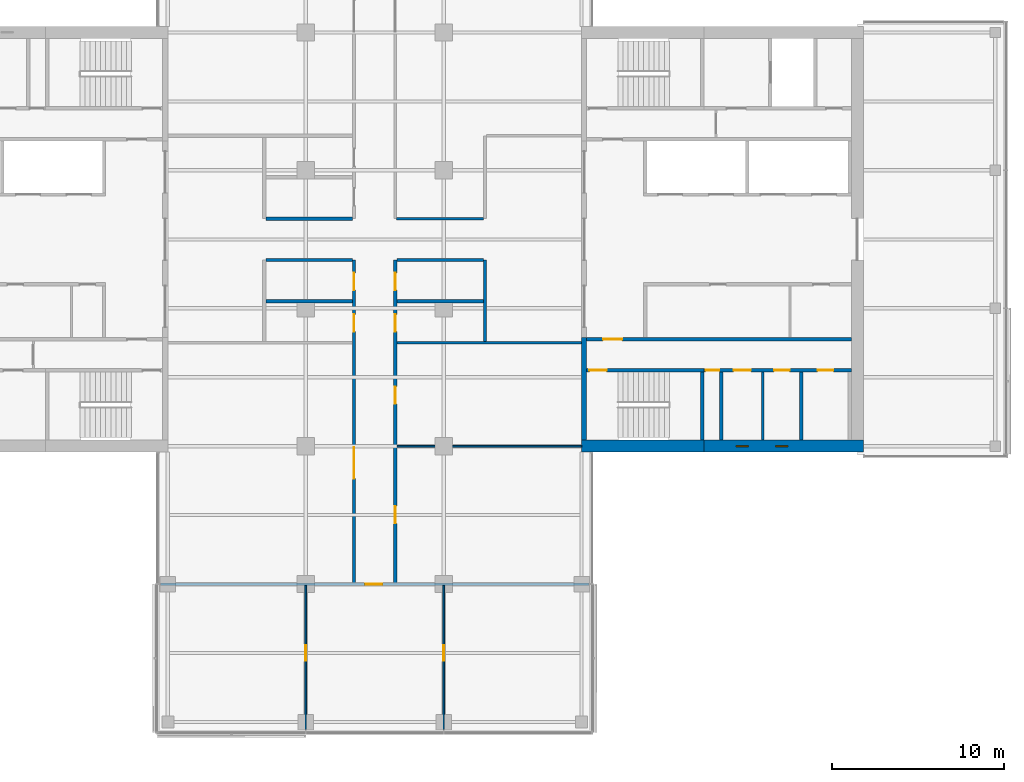
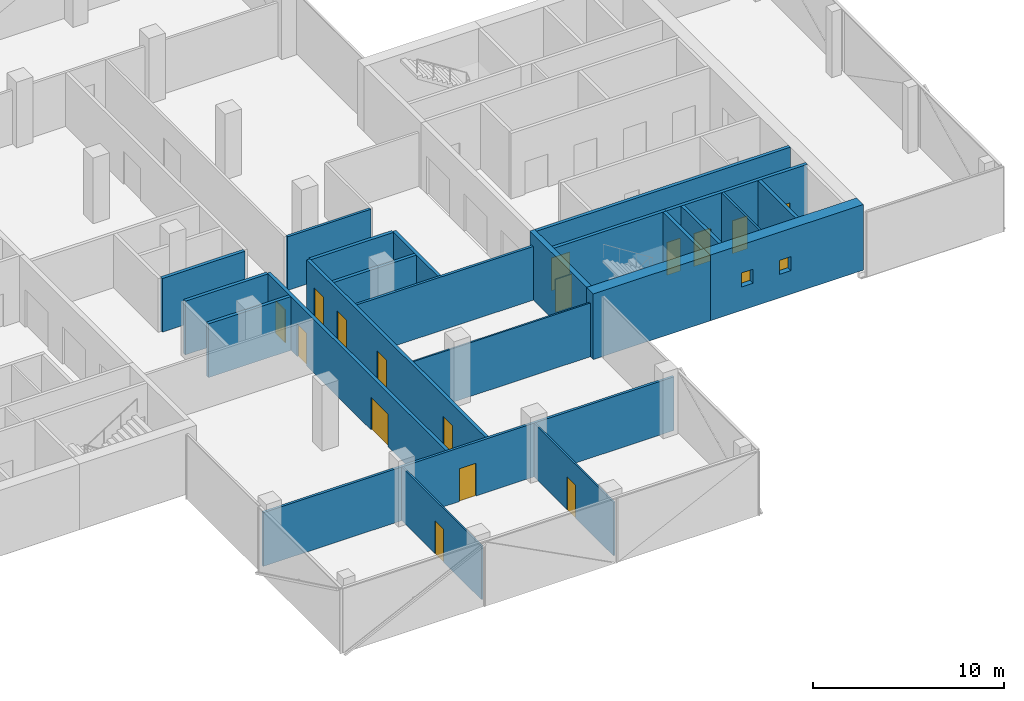
# One storey, part 14 of 22: 24 walls, 16 doors, 2 windows, 18 openings.
"""IFC4 building model written with IfcOpenShell, lengths in metres."""

from ifc_helpers import new_model, si_unit, direction, frame, frame_2d, origin, place, context, subcontext, project, spatial, rectangle, extrude, material, layer, layer_set, constituent, constituent_set, type_object, element, fill, save


model = new_model("IFC4")

# Units and contexts
model_context = context("Model", 3, precision=1e-05, world=origin(), true_north=direction((0.0, 1.0)))
body_context = subcontext(model_context, "Body", "Model", "MODEL_VIEW")
ifc_project = project(units=[si_unit("LENGTHUNIT", "METRE"), si_unit("AREAUNIT", "SQUARE_METRE"), si_unit("VOLUMEUNIT", "CUBIC_METRE"), si_unit("PLANEANGLEUNIT", "RADIAN"), si_unit("MASSUNIT", "GRAM", prefix="KILO")], contexts=[model_context])

# Site, building, storey
site_placement = place(None, origin())
site = spatial("IfcSite", under=ifc_project, at=site_placement, CompositionType="ELEMENT")
building_placement = place(site_placement, origin())
building = spatial("IfcBuilding", under=site, at=building_placement, Name="Crosswind Convention Tower", CompositionType="ELEMENT")
storey_placement = place(building_placement, frame((0.0, 0.0, 125.300048828125)))
storey = spatial("IfcBuildingStorey", under=building, at=storey_placement, Name="L25", CompositionType="ELEMENT", Elevation=125.300048828125)

# Wall
ifc_material_1 = material(Name="Concrete blockwork", Category="masonry")
ifc_layer_1 = layer(ifc_material_1, 0.199951171875)
ifc_layer_set_1 = layer_set([ifc_layer_1], Name="Blockwork partition wall 200")
wall_type_1 = type_object("IfcWallType", Name="Blockwork partition wall 200", PredefinedType="PARTITIONING", material=ifc_layer_set_1)
wall_1_placement = place(storey_placement, frame((145.10009765625, 88.35009765625, 0.0), z_axis=(0.0, 0.0, 1.0), x_axis=(0.0, 1.0, 0.0)))
element("IfcWall", 1, at=wall_1_placement, inside=storey, type_object=wall_type_1, Name="Wall MRSE E L25", PredefinedType="PARTITIONING", context=body_context, shape_type="SweptSolid", body=[
    extrude(rectangle(XDim=3.949951171875, YDim=0.199951171875, at=frame_2d((1.97509765625, 0.0))), origin(), (0.0, 0.0, 1.0), 4.199951171875),
])

# Wall, openings, doors
ifc_layer_2 = layer(ifc_material_1, 0.199951171875)
ifc_layer_set_2 = layer_set([ifc_layer_2], Name="COMPARTMENT WALL 200 BLOCKWORK")
wall_type_2 = type_object("IfcWallType", Name="COMPARTMENT WALL 200 BLOCKWORK", PredefinedType="SOLIDWALL", material=ifc_layer_set_2)
wall_2_placement = place(storey_placement, frame((123.800048828125, 80.074951171875, 0.0), z_axis=(0.0, 0.0, 1.0), x_axis=(0.0, 1.0, 0.0)))
wall_2 = element("IfcWall", 2, at=wall_2_placement, inside=storey, type_object=wall_type_2, Name="Compartment wall WT42", PredefinedType="SOLIDWALL", context=body_context, shape_type="SweptSolid", body=[
    extrude(rectangle(XDim=18.72509765625, YDim=0.199951171875, at=frame_2d((9.362548828125, 0.0))), origin(), (0.0, 0.0, 1.0), 3.436279296875),
])
opening_1_placement = place(wall_2_placement, frame((16.97509765625, 0.0, 0.0)))
opening_1 = element("IfcOpeningElement", 3, at=opening_1_placement, cuts=wall_2, Name="Opening L25-58", PredefinedType="OPENING", context=body_context, shape_type="SweptSolid", body=[
    extrude(rectangle(XDim=1.0, YDim=2.10009765625, at=frame_2d((0.5, 1.050048828125))), frame((0.0, 0.10986328125, 0.0), z_axis=(0.0, -1.0, 0.0), x_axis=(1.0, 0.0, 0.0)), (0.0, 0.0, 1.0), 0.219970703125),
])
opening_2_placement = place(wall_2_placement, frame((14.574951171875, 0.0, 0.0)))
opening_2 = element("IfcOpeningElement", 4, at=opening_2_placement, cuts=wall_2, Name="Opening L25-59", PredefinedType="OPENING", context=body_context, shape_type="SweptSolid", body=[
    extrude(rectangle(XDim=1.0, YDim=2.10009765625, at=frame_2d((0.5, 1.050048828125))), frame((0.0, 0.10986328125, 0.0), z_axis=(0.0, -1.0, 0.0), x_axis=(1.0, 0.0, 0.0)), (0.0, 0.0, 1.0), 0.219970703125),
])
opening_3_placement = place(wall_2_placement, frame((6.050048828125, 0.0, 0.0)))
opening_3 = element("IfcOpeningElement", 5, at=opening_3_placement, cuts=wall_2, Name="Opening L25-60", PredefinedType="OPENING", context=body_context, shape_type="SweptSolid", body=[
    extrude(rectangle(XDim=1.800048828125, YDim=2.10009765625, at=frame_2d((0.89990234375, 1.050048828125))), frame((0.0, 0.10986328125, 0.0), z_axis=(0.0, -1.0, 0.0), x_axis=(1.0, 0.0, 0.0)), (0.0, 0.0, 1.0), 0.219970703125),
])
ifc_material_2 = material(Name="Steel fire door", Category="steel")
door_type_1 = type_object("IfcDoorType", Name="PLANT ROOM DOOR 1000X2100 FD60", OperationType="NOTDEFINED", PredefinedType="DOOR", material=ifc_material_2)
door_1_placement = place(opening_1_placement, origin())
door_1 = element("IfcDoor", 6, at=door_1_placement, inside=storey, type_object=door_type_1, Name="Door L25-58", ObjectType="D43", OperationType="SINGLE_SWING_LEFT", OverallHeight=2.10009765625, OverallWidth=1.0, PredefinedType="DOOR", context=body_context, shape_type="SweptSolid", body=[
    extrude(rectangle(XDim=1.0, YDim=2.10009765625, at=frame_2d((0.5, 1.050048828125))), frame((0.0, 0.02490234375, 0.0), z_axis=(0.0, -1.0, 0.0), x_axis=(1.0, 0.0, 0.0)), (0.0, 0.0, 1.0), 0.050048828125),
])
fill(opening_1, door_1)
ifc_material_3 = material(Name="Timber fire door", Category="wood")
door_type_2 = type_object("IfcDoorType", Name="TENANCY ENTRANCE DOOR 1000X2100 FD30S", OperationType="NOTDEFINED", PredefinedType="DOOR", material=ifc_material_3)
door_2_placement = place(opening_2_placement, origin())
door_2 = element("IfcDoor", 7, at=door_2_placement, inside=storey, type_object=door_type_2, Name="Door L25-59", ObjectType="D41", OperationType="SINGLE_SWING_LEFT", OverallHeight=2.10009765625, OverallWidth=1.0, PredefinedType="DOOR", context=body_context, shape_type="SweptSolid", body=[
    extrude(rectangle(XDim=1.0, YDim=2.10009765625, at=frame_2d((0.5, 1.050048828125))), frame((0.0, 0.02490234375, 0.0), z_axis=(0.0, -1.0, 0.0), x_axis=(1.0, 0.0, 0.0)), (0.0, 0.0, 1.0), 0.050048828125),
])
fill(opening_2, door_2)
door_type_3 = type_object("IfcDoorType", Name="TENANCY ENTRANCE DOUBLE DOOR 1800X2100 FD30S", OperationType="DOUBLE_DOOR_SINGLE_SWING", PredefinedType="DOOR", material=ifc_material_3)
door_3_placement = place(opening_3_placement, origin())
door_3 = element("IfcDoor", 8, at=door_3_placement, inside=storey, type_object=door_type_3, Name="Door L25-60", ObjectType="D42", OperationType="DOUBLE_DOOR_SINGLE_SWING", OverallHeight=2.10009765625, OverallWidth=1.800048828125, PredefinedType="DOOR", context=body_context, shape_type="SweptSolid", body=[
    extrude(rectangle(XDim=1.800048828125, YDim=2.10009765625, at=frame_2d((0.89990234375, 1.050048828125))), frame((0.0, 0.02490234375, 0.0), z_axis=(0.0, -1.0, 0.0), x_axis=(1.0, 0.0, 0.0)), (0.0, 0.0, 1.0), 0.050048828125),
])
fill(opening_3, door_3)

wall_3_placement = place(storey_placement, frame((126.199951171875, 80.074951171875, 0.0), z_axis=(0.0, 0.0, 1.0), x_axis=(0.0, 1.0, 0.0)))
wall_3 = element("IfcWall", 9, at=wall_3_placement, inside=storey, type_object=wall_type_2, Name="Compartment wall WT42", PredefinedType="SOLIDWALL", context=body_context, shape_type="SweptSolid", body=[
    extrude(rectangle(XDim=18.72509765625, YDim=0.199951171875, at=frame_2d((9.362548828125, 0.0))), origin(), (0.0, 0.0, 1.0), 3.436279296875),
])
opening_4_placement = place(wall_3_placement, frame((16.97509765625, 0.0, 0.0)))
opening_4 = element("IfcOpeningElement", 10, at=opening_4_placement, cuts=wall_3, Name="Opening L25-51", PredefinedType="OPENING", context=body_context, shape_type="SweptSolid", body=[
    extrude(rectangle(XDim=1.0, YDim=2.10009765625, at=frame_2d((0.5, 1.050048828125))), frame((0.0, 0.10986328125, 0.0), z_axis=(0.0, -1.0, 0.0), x_axis=(1.0, 0.0, 0.0)), (0.0, 0.0, 1.0), 0.219970703125),
])
opening_5_placement = place(wall_3_placement, frame((14.574951171875, 0.0, 0.0)))
opening_5 = element("IfcOpeningElement", 11, at=opening_5_placement, cuts=wall_3, Name="Opening L25-52", PredefinedType="OPENING", context=body_context, shape_type="SweptSolid", body=[
    extrude(rectangle(XDim=1.0, YDim=2.10009765625, at=frame_2d((0.5, 1.050048828125))), frame((0.0, 0.10986328125, 0.0), z_axis=(0.0, -1.0, 0.0), x_axis=(1.0, 0.0, 0.0)), (0.0, 0.0, 1.0), 0.219970703125),
])
opening_6_placement = place(wall_3_placement, frame((10.375, 0.0, 0.0)))
opening_6 = element("IfcOpeningElement", 12, at=opening_6_placement, cuts=wall_3, Name="Opening L25-53", PredefinedType="OPENING", context=body_context, shape_type="SweptSolid", body=[
    extrude(rectangle(XDim=1.0, YDim=2.10009765625, at=frame_2d((0.5, 1.050048828125))), frame((0.0, 0.10986328125, 0.0), z_axis=(0.0, -1.0, 0.0), x_axis=(1.0, 0.0, 0.0)), (0.0, 0.0, 1.0), 0.219970703125),
])
opening_7_placement = place(wall_3_placement, frame((3.449951171875, 0.0, 0.0)))
opening_7 = element("IfcOpeningElement", 13, at=opening_7_placement, cuts=wall_3, Name="Opening L25-54", PredefinedType="OPENING", context=body_context, shape_type="SweptSolid", body=[
    extrude(rectangle(XDim=1.0, YDim=2.10009765625, at=frame_2d((0.5, 1.050048828125))), frame((0.0, 0.10986328125, 0.0), z_axis=(0.0, -1.0, 0.0), x_axis=(1.0, 0.0, 0.0)), (0.0, 0.0, 1.0), 0.219970703125),
])
door_4_placement = place(opening_4_placement, frame((1.0, 0.0, 0.0), z_axis=(0.0, 0.0, 1.0), x_axis=(-1.0, 0.0, 0.0)))
door_4 = element("IfcDoor", 14, at=door_4_placement, inside=storey, type_object=door_type_1, Name="Door L25-51", ObjectType="D43", OperationType="SINGLE_SWING_RIGHT", OverallHeight=2.10009765625, OverallWidth=1.0, PredefinedType="DOOR", context=body_context, shape_type="SweptSolid", body=[
    extrude(rectangle(XDim=1.0, YDim=2.10009765625, at=frame_2d((0.5, 1.050048828125))), frame((0.0, 0.02490234375, 0.0), z_axis=(0.0, -1.0, 0.0), x_axis=(1.0, 0.0, 0.0)), (0.0, 0.0, 1.0), 0.050048828125),
])
fill(opening_4, door_4)
door_5_placement = place(opening_5_placement, frame((1.0, 0.0, 0.0), z_axis=(0.0, 0.0, 1.0), x_axis=(-1.0, 0.0, 0.0)))
door_5 = element("IfcDoor", 15, at=door_5_placement, inside=storey, type_object=door_type_2, Name="Door L25-52", ObjectType="D41", OperationType="SINGLE_SWING_RIGHT", OverallHeight=2.10009765625, OverallWidth=1.0, PredefinedType="DOOR", context=body_context, shape_type="SweptSolid", body=[
    extrude(rectangle(XDim=1.0, YDim=2.10009765625, at=frame_2d((0.5, 1.050048828125))), frame((0.0, 0.02490234375, 0.0), z_axis=(0.0, -1.0, 0.0), x_axis=(1.0, 0.0, 0.0)), (0.0, 0.0, 1.0), 0.050048828125),
])
fill(opening_5, door_5)
door_6_placement = place(opening_6_placement, frame((1.0, 0.0, 0.0), z_axis=(0.0, 0.0, 1.0), x_axis=(-1.0, 0.0, 0.0)))
door_6 = element("IfcDoor", 16, at=door_6_placement, inside=storey, type_object=door_type_2, Name="Door L25-53", ObjectType="D41", OperationType="SINGLE_SWING_RIGHT", OverallHeight=2.10009765625, OverallWidth=1.0, PredefinedType="DOOR", context=body_context, shape_type="SweptSolid", body=[
    extrude(rectangle(XDim=1.0, YDim=2.10009765625, at=frame_2d((0.5, 1.050048828125))), frame((0.0, 0.02490234375, 0.0), z_axis=(0.0, -1.0, 0.0), x_axis=(1.0, 0.0, 0.0)), (0.0, 0.0, 1.0), 0.050048828125),
])
fill(opening_6, door_6)
door_7_placement = place(opening_7_placement, frame((1.0, 0.0, 0.0), z_axis=(0.0, 0.0, 1.0), x_axis=(-1.0, 0.0, 0.0)))
door_7 = element("IfcDoor", 17, at=door_7_placement, inside=storey, type_object=door_type_2, Name="Door L25-54", ObjectType="D41", OperationType="SINGLE_SWING_LEFT", OverallHeight=2.10009765625, OverallWidth=1.0, PredefinedType="DOOR", context=body_context, shape_type="SweptSolid", body=[
    extrude(rectangle(XDim=1.0, YDim=2.10009765625, at=frame_2d((0.5, 1.050048828125))), frame((0.0, 0.02490234375, 0.0), z_axis=(0.0, -1.0, 0.0), x_axis=(1.0, 0.0, 0.0)), (0.0, 0.0, 1.0), 0.050048828125),
])
fill(opening_7, door_7)

# Walls
wall_4_placement = place(storey_placement, frame((131.39990234375, 94.074951171875, 0.0), z_axis=(0.0, 0.0, 1.0), x_axis=(0.0, 1.0, 0.0)))
element("IfcWall", 18, at=wall_4_placement, inside=storey, type_object=wall_type_2, Name="Compartment wall WT42", PredefinedType="SOLIDWALL", context=body_context, shape_type="SweptSolid", body=[
    extrude(rectangle(XDim=4.72509765625, YDim=0.199951171875, at=frame_2d((2.362548828125, 0.0))), origin(), (0.0, 0.0, 1.0), 3.436279296875),
])
for number, where, z_axis, x_axis, name in (
    (19, (118.699951171875, 96.39990234375, 0.0), (0.0, 0.0, 1.0), (1.0, 0.0, 0.0), "Compartment wall WT42"),
    (20, (126.300048828125, 96.39990234375, 0.0), (0.0, 0.0, 1.0), (1.0, 0.0, 0.0), "Compartment wall WT42"),
    (21, (118.699951171875, 98.800048828125, 0.0), (0.0, 0.0, 1.0), (1.0, 0.0, 0.0), "Compartment wall WT42"),
    (22, (126.300048828125, 98.800048828125, 0.0), (0.0, 0.0, 1.0), (1.0, 0.0, 0.0), "Compartment wall WT42"),
    (23, (118.699951171875, 101.199951171875, 0.0), (0.0, 0.0, 1.0), (1.0, 0.0, 0.0), "Compartment wall WT42"),
):
    element("IfcWall", number, at=place(storey_placement, frame(where, z_axis=z_axis, x_axis=x_axis)), inside=storey, type_object=wall_type_2, Name=name, PredefinedType="SOLIDWALL", context=body_context, shape_type="SweptSolid", body=[
        extrude(rectangle(XDim=5.0, YDim=0.199951171875, at=frame_2d((2.5, 0.0))), origin(), (0.0, 0.0, 1.0), 3.436279296875),
    ])
ifc_material_4 = material(Name="Concrete C50/60", Category="concrete")
ifc_layer_3 = layer(ifc_material_4, 0.300048828125)
ifc_layer_set_3 = layer_set([ifc_layer_3], Name="Concrete C50/60")
wall_type_3 = type_object("IfcWallType", Name="Concrete inner core wall 300", PredefinedType="SHEAR", material=ifc_layer_set_3)
wall_5_placement = place(storey_placement, frame((137.14990234375, 88.35009765625, 0.0), z_axis=(0.0, 0.0, 1.0), x_axis=(0.0, 1.0, 0.0)))
element("IfcWall", 24, at=wall_5_placement, inside=storey, type_object=wall_type_3, Name="Wall EM E L25", PredefinedType="SHEAR", context=body_context, shape_type="SweptSolid", body=[
    extrude(rectangle(XDim=5.949951171875, YDim=0.300048828125, at=frame_2d((2.97509765625, 0.0))), origin(), (0.0, 0.0, 1.0), 4.199951171875),
])

# Wall, opening, door
ifc_layer_4 = layer(ifc_material_4, 0.199951171875)
ifc_layer_set_4 = layer_set([ifc_layer_4], Name="Concrete C50/60")
wall_type_4 = type_object("IfcWallType", Name="Concrete shaft and stair wall 200", PredefinedType="SHEAR", material=ifc_layer_set_4)
wall_6_placement = place(storey_placement, frame((137.300048828125, 94.199951171875, 0.0), z_axis=(0.0, 0.0, 1.0), x_axis=(1.0, 0.0, 0.0)))
wall_6 = element("IfcWall", 25, at=wall_6_placement, inside=storey, type_object=wall_type_4, Name="Wall HM E L25", PredefinedType="SHEAR", context=body_context, shape_type="SweptSolid", body=[
    extrude(rectangle(XDim=15.349853515625, YDim=0.199951171875, at=frame_2d((7.6748046875, 0.0))), origin(), (0.0, 0.0, 1.0), 4.199951171875),
])
opening_8_placement = place(wall_6_placement, frame((0.949951171875, 0.0, 0.0)))
opening_8 = element("IfcOpeningElement", 26, at=opening_8_placement, cuts=wall_6, Name="Opening D104", PredefinedType="OPENING", context=body_context, shape_type="SweptSolid", body=[
    extrude(rectangle(XDim=1.10009765625, YDim=2.10009765625, at=frame_2d((0.550048828125, 1.050048828125))), frame((0.0, 0.10986328125, 0.0), z_axis=(0.0, -1.0, 0.0), x_axis=(1.0, 0.0, 0.0)), (0.0, 0.0, 1.0), 0.219970703125),
])
door_type_4 = type_object("IfcDoorType", Name="Fire-rated single door 1100x2100", OperationType="NOTDEFINED", PredefinedType="DOOR", material=ifc_material_2)
door_8_placement = place(opening_8_placement, origin())
door_8 = element("IfcDoor", 27, at=door_8_placement, inside=storey, type_object=door_type_4, Name="Corridor door L25", ObjectType="D104", OperationType="SINGLE_SWING_LEFT", OverallHeight=2.10009765625, OverallWidth=1.10009765625, PredefinedType="DOOR", context=body_context, shape_type="SweptSolid", body=[
    extrude(rectangle(XDim=1.10009765625, YDim=2.10009765625, at=frame_2d((0.550048828125, 1.050048828125))), frame((0.0, 0.02490234375, 0.0), z_axis=(0.0, -1.0, 0.0), x_axis=(1.0, 0.0, 0.0)), (0.0, 0.0, 1.0), 0.050048828125),
])
fill(opening_8, door_8)

# Walls
for number, where, z_axis, x_axis, name in (
    (28, (144.0, 88.35009765625, 0.0), (0.0, 0.0, 1.0), (0.0, 1.0, 0.0), "Wall MSE E L25"),
    (29, (149.75, 88.35009765625, 0.0), (0.0, 0.0, 1.0), (0.0, 1.0, 0.0), "Wall MFSW E L25"),
):
    element("IfcWall", number, at=place(storey_placement, frame(where, z_axis=z_axis, x_axis=x_axis)), inside=storey, type_object=wall_type_4, Name=name, PredefinedType="SHEAR", context=body_context, shape_type="SweptSolid", body=[
        extrude(rectangle(XDim=3.949951171875, YDim=0.199951171875, at=frame_2d((1.97509765625, 0.0))), origin(), (0.0, 0.0, 1.0), 4.199951171875),
    ])

# Wall, opening, door
wall_7_placement = place(storey_placement, frame((137.300048828125, 92.39990234375, 0.0), z_axis=(0.0, 0.0, 1.0), x_axis=(1.0, 0.0, 0.0)))
wall_7 = element("IfcWall", 30, at=wall_7_placement, inside=storey, type_object=wall_type_4, Name="Wall MCW E L25", PredefinedType="SHEAR", context=body_context, shape_type="SweptSolid", body=[
    extrude(rectangle(XDim=6.800048828125, YDim=0.199951171875, at=frame_2d((3.39990234375, 0.0))), origin(), (0.0, 0.0, 1.0), 4.199951171875),
])
opening_9_placement = place(wall_7_placement, frame((0.14990234375, 0.0, 0.0)))
opening_9 = element("IfcOpeningElement", 31, at=opening_9_placement, cuts=wall_7, Name="Opening D103", PredefinedType="OPENING", context=body_context, shape_type="SweptSolid", body=[
    extrude(rectangle(XDim=1.0, YDim=2.10009765625, at=frame_2d((0.5, 1.050048828125))), frame((0.0, 0.10986328125, 0.0), z_axis=(0.0, -1.0, 0.0), x_axis=(1.0, 0.0, 0.0)), (0.0, 0.0, 1.0), 0.219970703125),
])
door_type_5 = type_object("IfcDoorType", Name="Fire-rated single door 1000x2100", OperationType="NOTDEFINED", PredefinedType="DOOR", material=ifc_material_2)
door_9_placement = place(opening_9_placement, frame((1.0, 0.0, 0.0), z_axis=(0.0, 0.0, 1.0), x_axis=(-1.0, 0.0, 0.0)))
door_9 = element("IfcDoor", 32, at=door_9_placement, inside=storey, type_object=door_type_5, Name="Stair ST2 door L25", ObjectType="D103", OperationType="SINGLE_SWING_RIGHT", OverallHeight=2.10009765625, OverallWidth=1.0, PredefinedType="DOOR", context=body_context, shape_type="SweptSolid", body=[
    extrude(rectangle(XDim=1.0, YDim=2.10009765625, at=frame_2d((0.5, 1.050048828125))), frame((0.0, 0.02490234375, 0.0), z_axis=(0.0, -1.0, 0.0), x_axis=(1.0, 0.0, 0.0)), (0.0, 0.0, 1.0), 0.050048828125),
])
fill(opening_9, door_9)

# Wall, openings, doors
wall_8_placement = place(storey_placement, frame((144.10009765625, 92.39990234375, 0.0), z_axis=(0.0, 0.0, 1.0), x_axis=(1.0, 0.0, 0.0)))
wall_8 = element("IfcWall", 33, at=wall_8_placement, inside=storey, type_object=wall_type_4, Name="Wall MCX E L25", PredefinedType="SHEAR", context=body_context, shape_type="SweptSolid", body=[
    extrude(rectangle(XDim=8.5498046875, YDim=0.199951171875, at=frame_2d((4.27490234375, 0.0))), origin(), (0.0, 0.0, 1.0), 4.199951171875),
])
opening_10_placement = place(wall_8_placement, frame((0.10009765625, 0.0, 0.0)))
opening_10 = element("IfcOpeningElement", 34, at=opening_10_placement, cuts=wall_8, Name="Opening D105", PredefinedType="OPENING", context=body_context, shape_type="SweptSolid", body=[
    extrude(rectangle(XDim=0.800048828125, YDim=2.10009765625, at=frame_2d((0.39990234375, 1.050048828125))), frame((0.0, 0.10986328125, 0.0), z_axis=(0.0, -1.0, 0.0), x_axis=(1.0, 0.0, 0.0)), (0.0, 0.0, 1.0), 0.219970703125),
])
opening_11_placement = place(wall_8_placement, frame((1.725830078125, 0.0, 0.0)))
opening_11 = element("IfcOpeningElement", 35, at=opening_11_placement, cuts=wall_8, Name="Opening D103", PredefinedType="OPENING", context=body_context, shape_type="SweptSolid", body=[
    extrude(rectangle(XDim=1.0, YDim=2.10009765625, at=frame_2d((0.5, 1.050048828125))), frame((0.0, 0.10986328125, 0.0), z_axis=(0.0, -1.0, 0.0), x_axis=(1.0, 0.0, 0.0)), (0.0, 0.0, 1.0), 0.219970703125),
])
opening_12_placement = place(wall_8_placement, frame((4.063232421875, 0.0, 0.0)))
opening_12 = element("IfcOpeningElement", 36, at=opening_12_placement, cuts=wall_8, Name="Opening D106", PredefinedType="OPENING", context=body_context, shape_type="SweptSolid", body=[
    extrude(rectangle(XDim=0.89990234375, YDim=2.10009765625, at=frame_2d((0.449951171875, 1.050048828125))), frame((0.0, 0.10986328125, 0.0), z_axis=(0.0, -1.0, 0.0), x_axis=(1.0, 0.0, 0.0)), (0.0, 0.0, 1.0), 0.219970703125),
])
opening_13_placement = place(wall_8_placement, frame((6.60009765625, 0.0, 0.0)))
opening_13 = element("IfcOpeningElement", 37, at=opening_13_placement, cuts=wall_8, Name="Opening D106", PredefinedType="OPENING", context=body_context, shape_type="SweptSolid", body=[
    extrude(rectangle(XDim=0.89990234375, YDim=2.10009765625, at=frame_2d((0.449951171875, 1.050048828125))), frame((0.0, 0.10986328125, 0.0), z_axis=(0.0, -1.0, 0.0), x_axis=(1.0, 0.0, 0.0)), (0.0, 0.0, 1.0), 0.219970703125),
])
door_10_placement = place(opening_11_placement, frame((1.0, 0.0, 0.0), z_axis=(0.0, 0.0, 1.0), x_axis=(-1.0, 0.0, 0.0)))
door_10 = element("IfcDoor", 38, at=door_10_placement, inside=storey, type_object=door_type_5, Name="Door to accessible wc L25", ObjectType="D103", OperationType="SINGLE_SWING_LEFT", OverallHeight=2.10009765625, OverallWidth=1.0, PredefinedType="DOOR", context=body_context, shape_type="SweptSolid", body=[
    extrude(rectangle(XDim=1.0, YDim=2.10009765625, at=frame_2d((0.5, 1.050048828125))), frame((0.0, 0.02490234375, 0.0), z_axis=(0.0, -1.0, 0.0), x_axis=(1.0, 0.0, 0.0)), (0.0, 0.0, 1.0), 0.050048828125),
])
fill(opening_11, door_10)
door_type_6 = type_object("IfcDoorType", Name="Riser access door 800x2100", OperationType="NOTDEFINED", PredefinedType="DOOR", material=ifc_material_2)
door_11_placement = place(opening_10_placement, frame((0.800048828125, 0.0, 0.0), z_axis=(0.0, 0.0, 1.0), x_axis=(-1.0, 0.0, 0.0)))
door_11 = element("IfcDoor", 39, at=door_11_placement, inside=storey, type_object=door_type_6, Name="Riser door L25", ObjectType="D105", OperationType="SINGLE_SWING_LEFT", OverallHeight=2.10009765625, OverallWidth=0.800048828125, PredefinedType="DOOR", context=body_context, shape_type="SweptSolid", body=[
    extrude(rectangle(XDim=0.800048828125, YDim=2.10009765625, at=frame_2d((0.39990234375, 1.050048828125))), frame((0.0, 0.02490234375, 0.0), z_axis=(0.0, -1.0, 0.0), x_axis=(1.0, 0.0, 0.0)), (0.0, 0.0, 1.0), 0.050048828125),
])
fill(opening_10, door_11)
ifc_material_5 = material(Name="Timber door", Category="wood")
door_type_7 = type_object("IfcDoorType", Name="Single leaf door 900x2100", OperationType="NOTDEFINED", PredefinedType="DOOR", material=ifc_material_5)
door_12_placement = place(opening_12_placement, frame((0.89990234375, 0.0, 0.0), z_axis=(0.0, 0.0, 1.0), x_axis=(-1.0, 0.0, 0.0)))
door_12 = element("IfcDoor", 40, at=door_12_placement, inside=storey, type_object=door_type_7, Name="Door to wc L25", ObjectType="D106", OperationType="SINGLE_SWING_LEFT", OverallHeight=2.10009765625, OverallWidth=0.89990234375, PredefinedType="DOOR", context=body_context, shape_type="SweptSolid", body=[
    extrude(rectangle(XDim=0.89990234375, YDim=2.10009765625, at=frame_2d((0.449951171875, 1.050048828125))), frame((0.0, 0.02490234375, 0.0), z_axis=(0.0, -1.0, 0.0), x_axis=(1.0, 0.0, 0.0)), (0.0, 0.0, 1.0), 0.050048828125),
])
fill(opening_12, door_12)
door_13_placement = place(opening_13_placement, frame((0.89990234375, 0.0, 0.0), z_axis=(0.0, 0.0, 1.0), x_axis=(-1.0, 0.0, 0.0)))
door_13 = element("IfcDoor", 41, at=door_13_placement, inside=storey, type_object=door_type_7, Name="Door to wc L25", ObjectType="D106", OperationType="SINGLE_SWING_LEFT", OverallHeight=2.10009765625, OverallWidth=0.89990234375, PredefinedType="DOOR", context=body_context, shape_type="SweptSolid", body=[
    extrude(rectangle(XDim=0.89990234375, YDim=2.10009765625, at=frame_2d((0.449951171875, 1.050048828125))), frame((0.0, 0.02490234375, 0.0), z_axis=(0.0, -1.0, 0.0), x_axis=(1.0, 0.0, 0.0)), (0.0, 0.0, 1.0), 0.050048828125),
])
fill(opening_13, door_13)

# Wall
ifc_material_6 = material(Name="Gypsum plasterboard partition", Category="gypsum")
ifc_layer_5 = layer(ifc_material_6, 0.125)
ifc_layer_set_5 = layer_set([ifc_layer_5], Name="Drywall partition wall 125")
wall_type_5 = type_object("IfcWallType", Name="Drywall partition wall 125", PredefinedType="PARTITIONING", material=ifc_layer_set_5)
wall_9_placement = place(storey_placement, frame((147.513916015625, 88.35009765625, 0.0), z_axis=(0.0, 0.0, 1.0), x_axis=(0.0, 1.0, 0.0)))
element("IfcWall", 42, at=wall_9_placement, inside=storey, type_object=wall_type_5, Name="Wall MWP1 E L25", PredefinedType="PARTITIONING", context=body_context, shape_type="SweptSolid", body=[
    extrude(rectangle(XDim=3.949951171875, YDim=0.125, at=frame_2d((1.97509765625, 0.0))), origin(), (0.0, 0.0, 1.0), 4.199951171875),
])

# Wall, opening, door
ifc_material_7 = material(Name="Plasterboard partition", Category="gypsum")
ifc_layer_6 = layer(ifc_material_7, 0.10009765625)
ifc_layer_set_6 = layer_set([ifc_layer_6], Name="PARTITION 100 METAL STUD")
wall_type_6 = type_object("IfcWallType", Name="PARTITION 100 METAL STUD", PredefinedType="PARTITIONING", material=ifc_layer_set_6)
wall_10_placement = place(storey_placement, frame((121.0, 71.580078125, 0.0), z_axis=(0.0, 0.0, 1.0), x_axis=(0.0, 1.0, 0.0)))
wall_10 = element("IfcWall", 43, at=wall_10_placement, inside=storey, type_object=wall_type_6, Name="Partition wall WT40", PredefinedType="PARTITIONING", context=body_context, shape_type="SweptSolid", body=[
    extrude(rectangle(XDim=8.344970703125, YDim=0.10009765625, at=frame_2d((4.17236328125, 0.0))), origin(), (0.0, 0.0, 1.0), 3.436279296875),
])
opening_14_placement = place(wall_10_placement, frame((3.969970703125, 0.0, 0.0)))
opening_14 = element("IfcOpeningElement", 44, at=opening_14_placement, cuts=wall_10, Name="Opening L25-63", PredefinedType="OPENING", context=body_context, shape_type="SweptSolid", body=[
    extrude(rectangle(XDim=0.89990234375, YDim=2.10009765625, at=frame_2d((0.449951171875, 1.050048828125))), frame((0.0, 0.06005859375, 0.0), z_axis=(0.0, -1.0, 0.0), x_axis=(1.0, 0.0, 0.0)), (0.0, 0.0, 1.0), 0.1201171875),
])
door_type_8 = type_object("IfcDoorType", Name="INTERNAL DOOR 900X2100", OperationType="NOTDEFINED", PredefinedType="DOOR", material=ifc_material_5)
door_14_placement = place(opening_14_placement, frame((0.89990234375, 0.0, 0.0), z_axis=(0.0, 0.0, 1.0), x_axis=(-1.0, 0.0, 0.0)))
door_14 = element("IfcDoor", 45, at=door_14_placement, inside=storey, type_object=door_type_8, Name="Door L25-63", ObjectType="D40", OperationType="SINGLE_SWING_LEFT", OverallHeight=2.10009765625, OverallWidth=0.89990234375, PredefinedType="DOOR", context=body_context, shape_type="SweptSolid", body=[
    extrude(rectangle(XDim=0.89990234375, YDim=2.10009765625, at=frame_2d((0.449951171875, 1.050048828125))), frame((0.0, 0.02490234375, 0.0), z_axis=(0.0, -1.0, 0.0), x_axis=(1.0, 0.0, 0.0)), (0.0, 0.0, 1.0), 0.050048828125),
])
fill(opening_14, door_14)

wall_11_placement = place(storey_placement, frame((129.0, 71.580078125, 0.0), z_axis=(0.0, 0.0, 1.0), x_axis=(0.0, 1.0, 0.0)))
wall_11 = element("IfcWall", 46, at=wall_11_placement, inside=storey, type_object=wall_type_6, Name="Partition wall WT40", PredefinedType="PARTITIONING", context=body_context, shape_type="SweptSolid", body=[
    extrude(rectangle(XDim=8.344970703125, YDim=0.10009765625, at=frame_2d((4.17236328125, 0.0))), origin(), (0.0, 0.0, 1.0), 3.436279296875),
])
opening_15_placement = place(wall_11_placement, frame((3.969970703125, 0.0, 0.0)))
opening_15 = element("IfcOpeningElement", 47, at=opening_15_placement, cuts=wall_11, Name="Opening L25-64", PredefinedType="OPENING", context=body_context, shape_type="SweptSolid", body=[
    extrude(rectangle(XDim=0.89990234375, YDim=2.10009765625, at=frame_2d((0.449951171875, 1.050048828125))), frame((0.0, 0.06005859375, 0.0), z_axis=(0.0, -1.0, 0.0), x_axis=(1.0, 0.0, 0.0)), (0.0, 0.0, 1.0), 0.1201171875),
])
door_15_placement = place(opening_15_placement, origin())
door_15 = element("IfcDoor", 48, at=door_15_placement, inside=storey, type_object=door_type_8, Name="Door L25-64", ObjectType="D40", OperationType="SINGLE_SWING_RIGHT", OverallHeight=2.10009765625, OverallWidth=0.89990234375, PredefinedType="DOOR", context=body_context, shape_type="SweptSolid", body=[
    extrude(rectangle(XDim=0.89990234375, YDim=2.10009765625, at=frame_2d((0.449951171875, 1.050048828125))), frame((0.0, 0.02490234375, 0.0), z_axis=(0.0, -1.0, 0.0), x_axis=(1.0, 0.0, 0.0)), (0.0, 0.0, 1.0), 0.050048828125),
])
fill(opening_15, door_15)

# Wall
wall_12_placement = place(storey_placement, frame((126.300048828125, 88.0, 0.0), z_axis=(0.0, 0.0, 1.0), x_axis=(1.0, 0.0, 0.0)))
element("IfcWall", 49, at=wall_12_placement, inside=storey, type_object=wall_type_6, Name="Partition wall WT40", PredefinedType="PARTITIONING", context=body_context, shape_type="SweptSolid", body=[
    extrude(rectangle(XDim=10.699951171875, YDim=0.10009765625, at=frame_2d((5.35009765625, 0.0))), origin(), (0.0, 0.0, 1.0), 3.436279296875),
])

# Wall, opening, door
ifc_material_8 = material(Name="Fire-board partition with mineral wool", Category="gypsum")
ifc_layer_7 = layer(ifc_material_8, 0.14990234375)
ifc_layer_set_7 = layer_set([ifc_layer_7], Name="TENANCY WALL 150 TWO-HOUR BOARD")
wall_type_7 = type_object("IfcWallType", Name="TENANCY WALL 150 TWO-HOUR BOARD", PredefinedType="PARTITIONING", material=ifc_layer_set_7)
wall_13_placement = place(storey_placement, frame((112.580078125, 80.0, 0.0), z_axis=(0.0, 0.0, 1.0), x_axis=(1.0, 0.0, 0.0)))
wall_13 = element("IfcWall", 50, at=wall_13_placement, inside=storey, type_object=wall_type_7, Name="Tenancy wall WT41", PredefinedType="PARTITIONING", context=body_context, shape_type="SweptSolid", body=[
    extrude(rectangle(XDim=24.83984375, YDim=0.14990234375, at=frame_2d((12.419921875, 0.0))), origin(), (0.0, 0.0, 1.0), 3.436279296875),
])
opening_16_placement = place(wall_13_placement, frame((11.8701171875, 0.0, 0.0)))
opening_16 = element("IfcOpeningElement", 51, at=opening_16_placement, cuts=wall_13, Name="Opening L25-62", PredefinedType="OPENING", context=body_context, shape_type="SweptSolid", body=[
    extrude(rectangle(XDim=1.0, YDim=2.10009765625, at=frame_2d((0.5, 1.050048828125))), frame((0.0, 0.0849609375, 0.0), z_axis=(0.0, -1.0, 0.0), x_axis=(1.0, 0.0, 0.0)), (0.0, 0.0, 1.0), 0.169921875),
])
door_16_placement = place(opening_16_placement, frame((1.0, 0.0, 0.0), z_axis=(0.0, 0.0, 1.0), x_axis=(-1.0, 0.0, 0.0)))
door_16 = element("IfcDoor", 52, at=door_16_placement, inside=storey, type_object=door_type_2, Name="Door L25-62", ObjectType="D41", OperationType="SINGLE_SWING_RIGHT", OverallHeight=2.10009765625, OverallWidth=1.0, PredefinedType="DOOR", context=body_context, shape_type="SweptSolid", body=[
    extrude(rectangle(XDim=1.0, YDim=2.10009765625, at=frame_2d((0.5, 1.050048828125))), frame((0.0, 0.02490234375, 0.0), z_axis=(0.0, -1.0, 0.0), x_axis=(1.0, 0.0, 0.0)), (0.0, 0.0, 1.0), 0.050048828125),
])
fill(opening_16, door_16)

# Walls
wall_14_placement = place(storey_placement, frame((126.300048828125, 94.0, 0.0), z_axis=(0.0, 0.0, 1.0), x_axis=(1.0, 0.0, 0.0)))
element("IfcWall", 53, at=wall_14_placement, inside=storey, type_object=wall_type_7, Name="Tenancy wall WT41", PredefinedType="PARTITIONING", context=body_context, shape_type="SweptSolid", body=[
    extrude(rectangle(XDim=10.699951171875, YDim=0.14990234375, at=frame_2d((5.35009765625, 0.0))), origin(), (0.0, 0.0, 1.0), 3.436279296875),
])
wall_15_placement = place(storey_placement, frame((126.27490234375, 101.199951171875, 0.0), z_axis=(0.0, 0.0, 1.0), x_axis=(1.0, 0.0, 0.0)))
element("IfcWall", 54, at=wall_15_placement, inside=storey, type_object=wall_type_7, Name="Tenancy wall WT41", PredefinedType="PARTITIONING", context=body_context, shape_type="SweptSolid", body=[
    extrude(rectangle(XDim=5.050048828125, YDim=0.14990234375, at=frame_2d((2.52490234375, 0.0))), origin(), (0.0, 0.0, 1.0), 3.436279296875),
])
ifc_material_9 = material(Name="Concrete C60/75", Category="concrete")
ifc_constituent_1 = constituent(ifc_material_9, Name="Structure")
ifc_material_10 = material(Name="Terracotta rainscreen", Category="ceramic")
ifc_constituent_2 = constituent(ifc_material_10, Name="Facing")
ifc_constituent_set = constituent_set(constituents=[ifc_constituent_1, ifc_constituent_2], Name="Concrete C60/75, Terracotta rainscreen")
wall_type_8 = type_object("IfcWallType", Name="Terracotta rainscreen on concrete core wall 700", PredefinedType="SHEAR", material=ifc_constituent_set)
wall_16_placement = place(storey_placement, frame((137.0, 88.0, 0.0), z_axis=(0.0, 0.0, 1.0), x_axis=(1.0, 0.0, 0.0)))
element("IfcWall", 55, at=wall_16_placement, inside=storey, type_object=wall_type_8, Name="Wall S1 E L25", PredefinedType="SHEAR", context=body_context, shape_type="SweptSolid", body=[
    extrude(rectangle(XDim=7.10009765625, YDim=0.699951171875, at=frame_2d((3.550048828125, 0.0))), origin(), (0.0, 0.0, 1.0), 4.199951171875),
])

# Wall, openings, windows
wall_17_placement = place(storey_placement, frame((144.10009765625, 88.0, 0.0), z_axis=(0.0, 0.0, 1.0), x_axis=(1.0, 0.0, 0.0)))
wall_17 = element("IfcWall", 56, at=wall_17_placement, inside=storey, type_object=wall_type_8, Name="Wall S2 E L25", PredefinedType="SHEAR", context=body_context, shape_type="SweptSolid", body=[
    extrude(rectangle(XDim=9.25, YDim=0.699951171875, at=frame_2d((4.625, 0.0))), origin(), (0.0, 0.0, 1.0), 4.199951171875),
])
opening_17_placement = place(wall_17_placement, frame((1.875732421875, 0.0, 1.5)))
opening_17 = element("IfcOpeningElement", 57, at=opening_17_placement, cuts=wall_17, Name="Opening W2", PredefinedType="OPENING", context=body_context, shape_type="SweptSolid", body=[
    extrude(rectangle(XDim=0.699951171875, YDim=0.89990234375, at=frame_2d((0.35009765625, 0.449951171875))), frame((0.0, 0.35986328125, 0.0), z_axis=(0.0, -1.0, 0.0), x_axis=(1.0, 0.0, 0.0)), (0.0, 0.0, 1.0), 0.719970703125),
])
opening_18_placement = place(wall_17_placement, frame((4.163330078125, 0.0, 1.5)))
opening_18 = element("IfcOpeningElement", 58, at=opening_18_placement, cuts=wall_17, Name="Opening W2", PredefinedType="OPENING", context=body_context, shape_type="SweptSolid", body=[
    extrude(rectangle(XDim=0.699951171875, YDim=0.89990234375, at=frame_2d((0.35009765625, 0.449951171875))), frame((0.0, 0.35986328125, 0.0), z_axis=(0.0, -1.0, 0.0), x_axis=(1.0, 0.0, 0.0)), (0.0, 0.0, 1.0), 0.719970703125),
])
ifc_material_11 = material(Name="Obscure glass in aluminium frame", Category="aluminium")
window_type = type_object("IfcWindowType", Name="WC window 700x900", PartitioningType="SINGLE_PANEL", PredefinedType="WINDOW", material=ifc_material_11)
window_1_placement = place(opening_17_placement, origin())
window_1 = element("IfcWindow", 59, at=window_1_placement, inside=storey, type_object=window_type, Name="WC window L25", ObjectType="W2", OverallHeight=0.89990234375, OverallWidth=0.699951171875, PartitioningType="SINGLE_PANEL", PredefinedType="WINDOW", context=body_context, shape_type="SweptSolid", body=[
    extrude(rectangle(XDim=0.699951171875, YDim=0.89990234375, at=frame_2d((0.35009765625, 0.449951171875))), frame((0.0, 0.030029296875, 0.0), z_axis=(0.0, -1.0, 0.0), x_axis=(1.0, 0.0, 0.0)), (0.0, 0.0, 1.0), 0.06005859375),
])
fill(opening_17, window_1)
window_2_placement = place(opening_18_placement, origin())
window_2 = element("IfcWindow", 60, at=window_2_placement, inside=storey, type_object=window_type, Name="WC window L25", ObjectType="W2", OverallHeight=0.89990234375, OverallWidth=0.699951171875, PartitioningType="SINGLE_PANEL", PredefinedType="WINDOW", context=body_context, shape_type="SweptSolid", body=[
    extrude(rectangle(XDim=0.699951171875, YDim=0.89990234375, at=frame_2d((0.35009765625, 0.449951171875))), frame((0.0, 0.030029296875, 0.0), z_axis=(0.0, -1.0, 0.0), x_axis=(1.0, 0.0, 0.0)), (0.0, 0.0, 1.0), 0.06005859375),
])
fill(opening_18, window_2)

save(model, "model.ifc")
